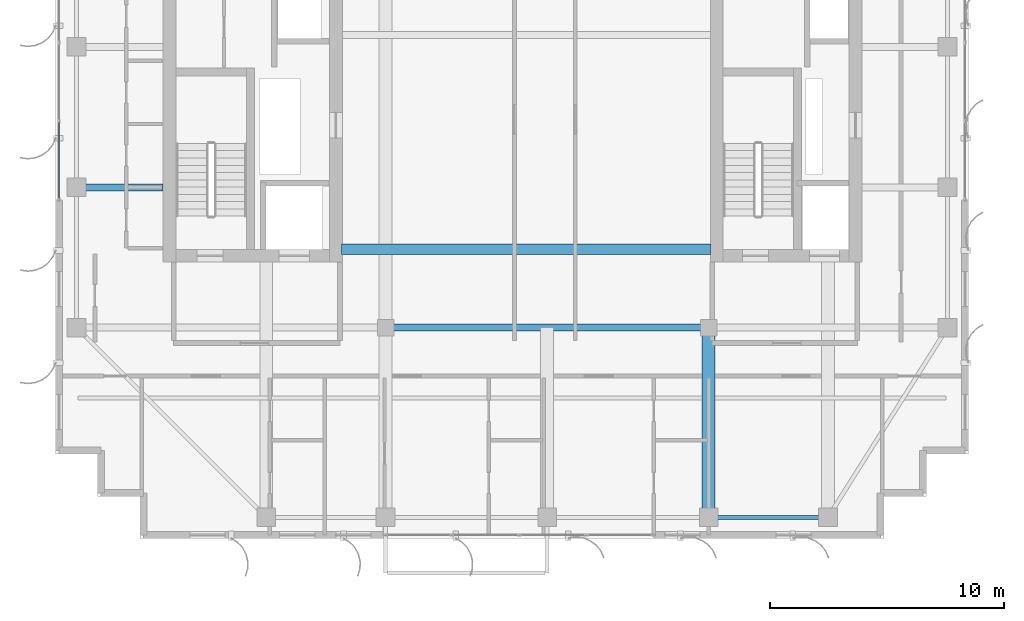
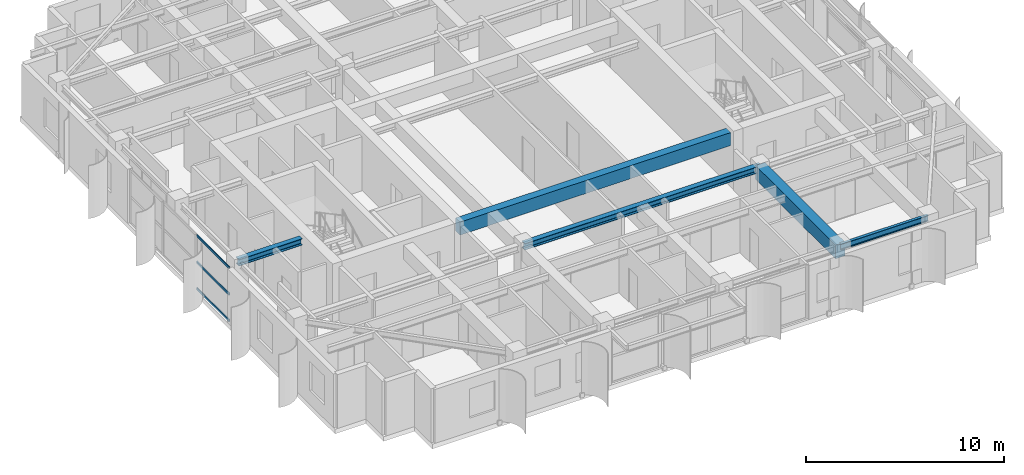
# One storey, part 7 of 23: 5 beams, 3 members, 1 element without a shape of its own.
"""IFC4 building model written with IfcOpenShell, lengths in metres."""

from ifc_helpers import new_model, si_unit, direction, frame, origin, origin_2d, place, context, subcontext, project, spatial, rectangle, hollow_rectangle, i_section, extrude, source, transform, mapped, material, layer, layer_set, material_profile, profile_set, type_object, element, aggregate, save


model = new_model("IFC4")

# Units and contexts
model_context = context("Model", 3, precision=1e-05, world=origin(), true_north=direction((0.0, 1.0)))
body_context = subcontext(model_context, "Body", "Model", "MODEL_VIEW")
ifc_project = project(units=[si_unit("LENGTHUNIT", "METRE"), si_unit("AREAUNIT", "SQUARE_METRE"), si_unit("VOLUMEUNIT", "CUBIC_METRE"), si_unit("PLANEANGLEUNIT", "RADIAN"), si_unit("MASSUNIT", "GRAM", prefix="KILO")], contexts=[model_context])

# Site, building, storey
site_placement = place(None, origin())
site = spatial("IfcSite", under=ifc_project, at=site_placement, CompositionType="ELEMENT")
building_placement = place(site_placement, origin())
building = spatial("IfcBuilding", under=site, at=building_placement, Name="Khoralis Quay Care Tower", CompositionType="ELEMENT")
storey_placement = place(building_placement, frame((0.0, 0.0, 270.89990234375)))
storey = spatial("IfcBuildingStorey", under=building, at=storey_placement, Name="L71", CompositionType="ELEMENT", Elevation=270.89990234375)

# Beams
ifc_material_1 = material(Name="Concrete C50/60", Category="concrete")
ifc_material_profile_1 = material_profile(ifc_material_1, rectangle(XDim=0.449951171875, YDim=0.800048828125, at=origin_2d()), Name="Concrete C50/60")
ifc_profile_set_1 = profile_set([ifc_material_profile_1], Name="Concrete C50/60")
beam_type_1 = type_object("IfcBeamType", Name="CB-RC450X800", PredefinedType="LINTEL", material=ifc_profile_set_1)
shared_shape_1 = source(origin(), body_context, "Body", "SweptSolid", [
    extrude(rectangle(XDim=0.449951171875, YDim=0.800048828125, at=origin_2d()), origin(), (0.0, 0.0, 1.0), 15.780029296875),
])
beam_1_placement = place(storey_placement, frame((15.219970703125, 15.35009765625, 2.920166015625), z_axis=(1.0, 0.0, 0.0), x_axis=(0.0, 1.0, 0.0)))
element("IfcBeam", 1, at=beam_1_placement, inside=storey, type_object=beam_type_1, Name="L71 South Core Coupling Lintel", PredefinedType="LINTEL", context=body_context, shape_type="MappedRepresentation", body=[
    mapped(shared_shape_1, transform((0.0, 0.0, 0.0), scale=1.0)),
])
ifc_material_2 = material(Name="Steel S355", Category="steel")
ifc_material_profile_2 = material_profile(ifc_material_2, i_section(OverallWidth=0.169921875, OverallDepth=0.360107421875, WebThickness=0.008056640625, FlangeThickness=0.0126953125, FilletRadius=0.01806640625, at=origin_2d()), Name="Steel S355")
ifc_profile_set_2 = profile_set([ifc_material_profile_2], Name="Steel S355")
beam_type_2 = type_object("IfcBeamType", Name="BM-IPE360", PredefinedType="SPANDREL", material=ifc_profile_set_2)
shared_shape_2 = source(origin(), body_context, "Body", "SweptSolid", [
    extrude(i_section(OverallWidth=0.169921875, OverallDepth=0.360107421875, WebThickness=0.008056640625, FlangeThickness=0.0126953125, FilletRadius=0.01806640625, at=origin_2d()), origin(), (0.0, 0.0, 1.0), 5.10009765625),
])
beam_2_placement = place(storey_placement, frame((30.89990234375, 3.89990234375, 3.14013671875), z_axis=(1.0, 0.0, 0.0), x_axis=(0.0, 1.0, 0.0)))
element("IfcBeam", 2, at=beam_2_placement, inside=storey, type_object=beam_type_2, Name="BM-TSP-L71-04", PredefinedType="SPANDREL", context=body_context, shape_type="MappedRepresentation", body=[
    mapped(shared_shape_2, transform((0.0, 0.0, 0.0), scale=1.0)),
])
ifc_material_profile_3 = material_profile(ifc_material_2, i_section(OverallWidth=0.300048828125, OverallDepth=0.39990234375, WebThickness=0.013427734375, FlangeThickness=0.02392578125, FilletRadius=0.027099609375, at=origin_2d()), Name="Steel S355")
ifc_profile_set_3 = profile_set([ifc_material_profile_3], Name="Steel S355")
beam_type_3 = type_object("IfcBeamType", Name="BM-HEB400", PredefinedType="BEAM", material=ifc_profile_set_3)
shared_shape_3 = source(origin(), body_context, "Body", "SweptSolid", [
    extrude(i_section(OverallWidth=0.300048828125, OverallDepth=0.39990234375, WebThickness=0.013427734375, FlangeThickness=0.02392578125, FilletRadius=0.027099609375, at=origin_2d()), origin(), (0.0, 0.0, 1.0), 3.7021484375),
])
beam_3_placement = place(storey_placement, frame((3.89990234375, 18.0, 3.1201171875), z_axis=(1.0, 0.0, 0.0), x_axis=(0.0, 1.0, 0.0)))
element("IfcBeam", 3, at=beam_3_placement, inside=storey, type_object=beam_type_3, Name="BM-TGXW-L71-180", PredefinedType="BEAM", context=body_context, shape_type="MappedRepresentation", body=[
    mapped(shared_shape_3, transform((0.0, 0.0, 0.0), scale=1.0)),
])
ifc_material_profile_4 = material_profile(ifc_material_1, rectangle(XDim=0.550048828125, YDim=0.85009765625, at=origin_2d()), Name="Concrete C50/60")
ifc_profile_set_4 = profile_set([ifc_material_profile_4], Name="Concrete C50/60")
beam_type_4 = type_object("IfcBeamType", Name="BM-RC550X850", PredefinedType="BEAM", material=ifc_profile_set_4)
shared_shape_4 = source(origin(), body_context, "Body", "SweptSolid", [
    extrude(rectangle(XDim=0.550048828125, YDim=0.85009765625, at=origin_2d()), origin(), (0.0, 0.0, 1.0), 8.10009765625),
])
beam_4_placement = place(storey_placement, frame((30.89990234375, 3.89990234375, 2.89501953125), z_axis=(0.0, 1.0, 0.0), x_axis=(-1.0, 0.0, 0.0)))
element("IfcBeam", 4, at=beam_4_placement, inside=storey, type_object=beam_type_4, Name="BM-TGYS-L71-309", PredefinedType="BEAM", context=body_context, shape_type="MappedRepresentation", body=[
    mapped(shared_shape_4, transform((0.0, 0.0, 0.0), scale=1.0)),
])
shared_shape_5 = source(origin(), body_context, "Body", "SweptSolid", [
    extrude(i_section(OverallWidth=0.300048828125, OverallDepth=0.39990234375, WebThickness=0.013427734375, FlangeThickness=0.02392578125, FilletRadius=0.027099609375, at=origin_2d()), origin(), (0.0, 0.0, 1.0), 13.7998046875),
])
beam_5_placement = place(storey_placement, frame((17.10009765625, 12.0, 3.1201171875), z_axis=(1.0, 0.0, 0.0), x_axis=(0.0, 1.0, 0.0)))
element("IfcBeam", 5, at=beam_5_placement, inside=storey, type_object=beam_type_3, Name="BM-TGCC-L71-120", PredefinedType="BEAM", context=body_context, shape_type="MappedRepresentation", body=[
    mapped(shared_shape_5, transform((0.0, 0.0, 0.0), scale=1.0)),
])

# Curtain wall, members
ifc_material_3 = material(Name="Pale anodised aluminium", Category="aluminium")
ifc_layer = layer(ifc_material_3, 0.159912109375)
ifc_layer_set = layer_set([ifc_layer], Name="Pale anodised aluminium")
curtain_wall_type = type_object("IfcCurtainWallType", Name="CW-SYS-Z3", PredefinedType="NOTDEFINED", material=ifc_layer_set)
curtain_wall_placement = place(storey_placement, origin())
curtain_wall = element("IfcCurtainWall", 6, at=curtain_wall_placement, inside=storey, type_object=curtain_wall_type, Name="L71 Unitised Curtain Wall CW-L71-P1-E15", PredefinedType="NOTDEFINED")
ifc_material_profile_5 = material_profile(ifc_material_3, hollow_rectangle(XDim=0.06005859375, YDim=0.139892578125, WallThickness=0.00390625, at=origin_2d()), Name="Pale anodised aluminium")
ifc_profile_set_5 = profile_set([ifc_material_profile_5], Name="Pale anodised aluminium")
member_type = type_object("IfcMemberType", Name="CW-TRN-140", PredefinedType="USERDEFINED", material=ifc_profile_set_5)
shared_shape_6 = source(origin(), body_context, "Body", "SweptSolid", [
    extrude(hollow_rectangle(XDim=0.06005859375, YDim=0.139892578125, WallThickness=0.00390625, at=origin_2d()), origin(), (0.0, 0.0, 1.0), 3.27001953125),
])
member_1_placement = place(storey_placement, frame((3.14990234375, 20.7900390625, 0.030029296875), z_axis=(0.0, -1.0, 0.0), x_axis=(1.0, 0.0, 0.0)))
member_1 = element("IfcMember", 7, at=member_1_placement, type_object=member_type, Name="CW3 transom 3.1", ObjectType="TRANSOM", PredefinedType="USERDEFINED", context=body_context, shape_type="MappedRepresentation", body=[
    mapped(shared_shape_6, transform((0.0, 0.0, 0.0), scale=1.0)),
])
member_2_placement = place(storey_placement, frame((3.14990234375, 20.7900390625, 1.66015625), z_axis=(0.0, -1.0, 0.0), x_axis=(1.0, 0.0, 0.0)))
member_2 = element("IfcMember", 8, at=member_2_placement, type_object=member_type, Name="CW3 transom 3.2", ObjectType="TRANSOM", PredefinedType="USERDEFINED", context=body_context, shape_type="MappedRepresentation", body=[
    mapped(shared_shape_6, transform((0.0, 0.0, 0.0), scale=1.0)),
])
member_3_placement = place(storey_placement, frame((3.14990234375, 20.7900390625, 3.2900390625), z_axis=(0.0, -1.0, 0.0), x_axis=(1.0, 0.0, 0.0)))
member_3 = element("IfcMember", 9, at=member_3_placement, type_object=member_type, Name="CW3 transom 3.3", ObjectType="TRANSOM", PredefinedType="USERDEFINED", context=body_context, shape_type="MappedRepresentation", body=[
    mapped(shared_shape_6, transform((0.0, 0.0, 0.0), scale=1.0)),
])
aggregate(curtain_wall, [member_1, member_2, member_3])

save(model, "model.ifc")
